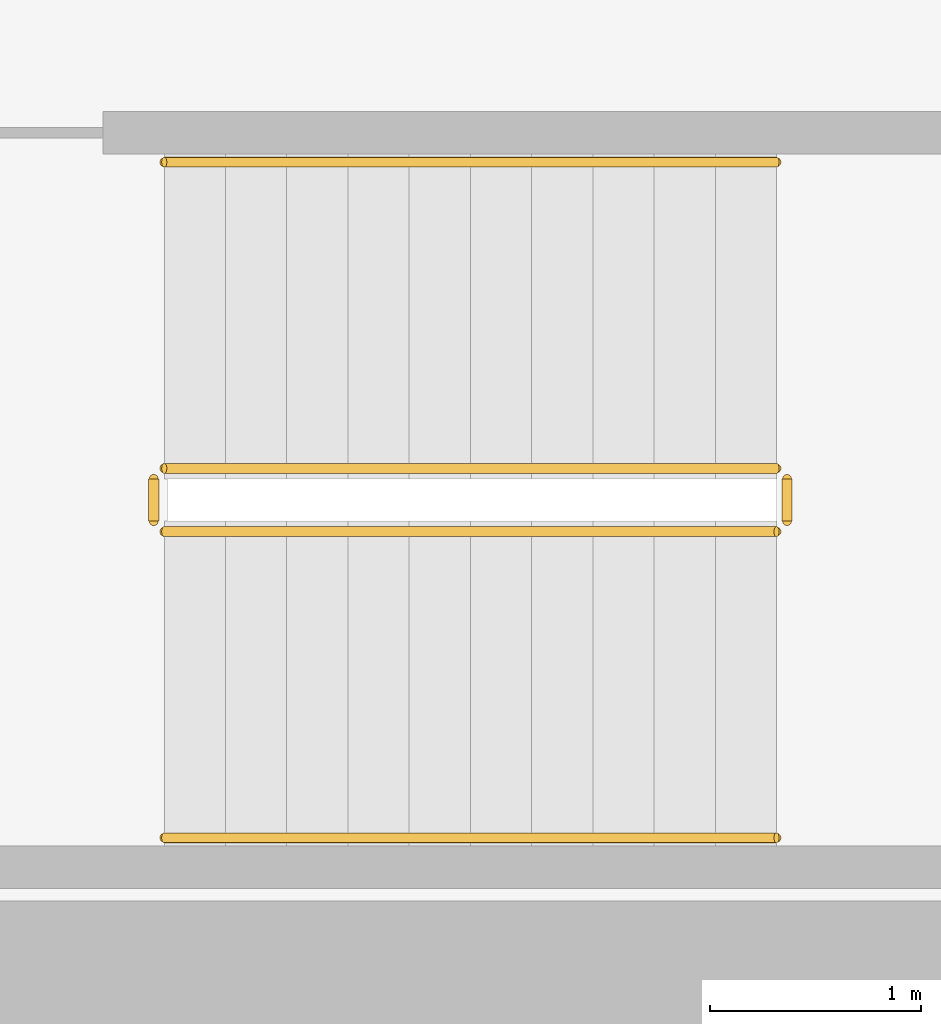
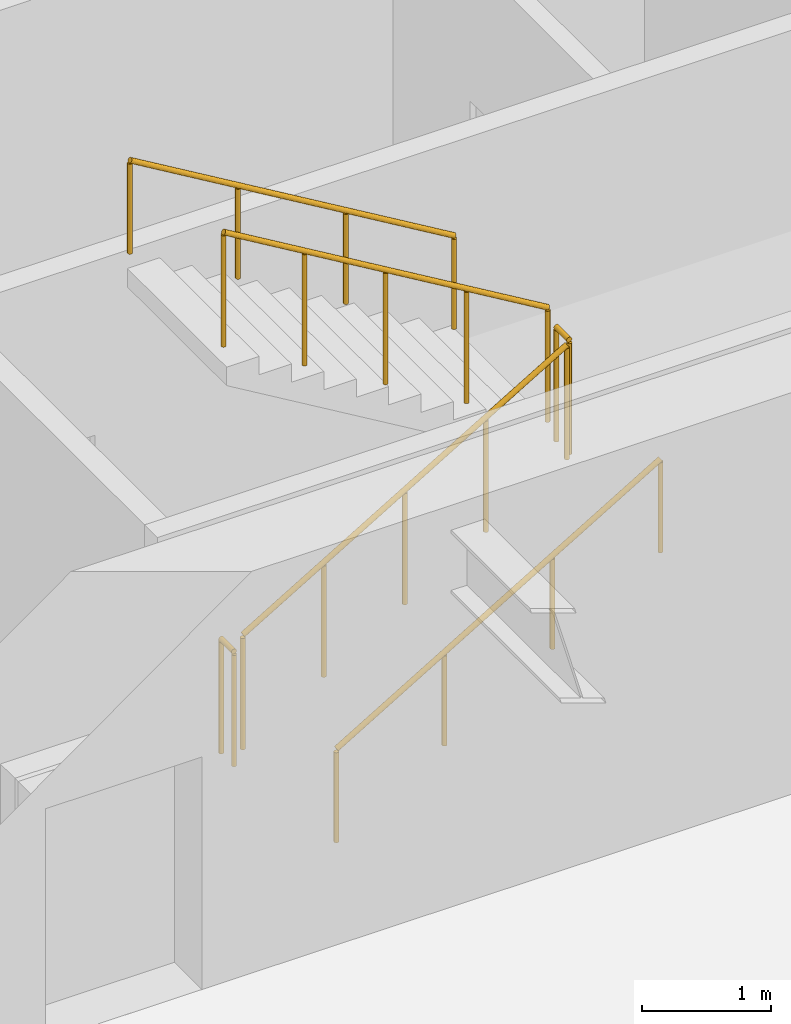
# One storey, part 19 of 20: 6 railings.
"""IFC4 building model written with IfcOpenShell, lengths in metres."""

from ifc_helpers import new_model, si_unit, direction, frame, origin, origin_2d, place, context, subcontext, project, spatial, circle, extrude, material, type_object, element, save


model = new_model("IFC4")

# Units and contexts
model_context = context("Model", 3, precision=1e-05, world=origin(), true_north=direction((0.0, 1.0)))
body_context = subcontext(model_context, "Body", "Model", "MODEL_VIEW")
ifc_project = project(units=[si_unit("LENGTHUNIT", "METRE"), si_unit("AREAUNIT", "SQUARE_METRE"), si_unit("VOLUMEUNIT", "CUBIC_METRE"), si_unit("PLANEANGLEUNIT", "RADIAN"), si_unit("MASSUNIT", "GRAM", prefix="KILO")], contexts=[model_context])

# Site, building, storey
site_placement = place(None, origin())
site = spatial("IfcSite", under=ifc_project, at=site_placement, CompositionType="ELEMENT")
building_placement = place(site_placement, origin())
building = spatial("IfcBuilding", under=site, at=building_placement, Name="Putna Gate Headquarters", CompositionType="ELEMENT")
storey_placement = place(building_placement, frame((0.0, 0.0, 105.0)))
storey = spatial("IfcBuildingStorey", under=building, at=storey_placement, Name="L25", CompositionType="ELEMENT", Elevation=105.0)

# Railings
ifc_material_1 = material(Name="Powder-coated steel stair guardrail", Category="steel")
railing_type_1 = type_object("IfcRailingType", Name="RAIL-STAIR-GUARD-1100", PredefinedType="GUARDRAIL", material=ifc_material_1)
railing_1_placement = place(storey_placement, frame((57.89990234375, 21.10009765625, 0.172607421875)))
element("IfcRailing", 1, at=railing_1_placement, inside=storey, type_object=railing_type_1, Name="L25 ST2 stair guard 1", PredefinedType="GUARDRAIL", context=body_context, shape_type="SweptSolid", body=[
    extrude(circle(Radius=0.02392578125, at=origin_2d()), frame((0.0, 0.0, 1.076171875), z_axis=(0.859160404282, 0.0, 0.51170636083), x_axis=(0.0, 1.0, 0.0)), (0.0, 0.0, 1.0), 3.37548828125),
    extrude(circle(Radius=0.02099609375, at=origin_2d()), origin(), (0.0, 0.0, 1.0), 1.052001953125),
    extrude(circle(Radius=0.02099609375, at=origin_2d()), frame((0.72509765625, 0.0, 0.431884765625)), (0.0, 0.0, 1.0), 1.052001953125),
    extrude(circle(Radius=0.02099609375, at=origin_2d()), frame((1.4501953125, 0.0, 0.86376953125)), (0.0, 0.0, 1.0), 1.052001953125),
    extrude(circle(Radius=0.02099609375, at=origin_2d()), frame((2.175048828125, 0.0, 1.29541015625)), (0.0, 0.0, 1.0), 1.052001953125),
    extrude(circle(Radius=0.02099609375, at=origin_2d()), frame((2.900146484375, 0.0, 1.727294921875)), (0.0, 0.0, 1.0), 1.052001953125),
])
railing_2_placement = place(storey_placement, frame((60.85009765625, 21.14990234375, 1.89990234375)))
element("IfcRailing", 2, at=railing_2_placement, inside=storey, type_object=railing_type_1, Name="L25 ST2 stair guard 2", PredefinedType="GUARDRAIL", context=body_context, shape_type="SweptSolid", body=[
    extrude(circle(Radius=0.02392578125, at=origin_2d()), frame((0.0, 0.0, 1.076171875), z_axis=(0.0, 1.0, 0.0), x_axis=(-1.0, 0.0, 0.0)), (0.0, 0.0, 1.0), 0.2001953125),
    extrude(circle(Radius=0.02099609375, at=origin_2d()), origin(), (0.0, 0.0, 1.0), 1.052001953125),
    extrude(circle(Radius=0.02099609375, at=origin_2d()), frame((0.0, 0.2001953125, 0.0)), (0.0, 0.0, 1.0), 1.052001953125),
])
railing_3_placement = place(storey_placement, frame((60.800048828125, 21.39990234375, 2.07275390625)))
element("IfcRailing", 3, at=railing_3_placement, inside=storey, type_object=railing_type_1, Name="L25 ST2 stair guard 3", PredefinedType="GUARDRAIL", context=body_context, shape_type="SweptSolid", body=[
    extrude(circle(Radius=0.02392578125, at=origin_2d()), frame((0.0, 0.0, 1.076171875), z_axis=(-0.859160404282, 0.0, 0.51170636083), x_axis=(0.0, -1.0, 0.0)), (0.0, 0.0, 1.0), 3.37548828125),
    extrude(circle(Radius=0.02099609375, at=origin_2d()), origin(), (0.0, 0.0, 1.0), 1.052001953125),
    extrude(circle(Radius=0.02099609375, at=origin_2d()), frame((-0.72509765625, 0.0, 0.431884765625)), (0.0, 0.0, 1.0), 1.052001953125),
    extrude(circle(Radius=0.02099609375, at=origin_2d()), frame((-1.4501953125, 0.0, 0.86376953125)), (0.0, 0.0, 1.0), 1.052001953125),
    extrude(circle(Radius=0.02099609375, at=origin_2d()), frame((-2.175048828125, 0.0, 1.29541015625)), (0.0, 0.0, 1.0), 1.052001953125),
    extrude(circle(Radius=0.02099609375, at=origin_2d()), frame((-2.900146484375, 0.0, 1.727294921875)), (0.0, 0.0, 1.0), 1.052001953125),
])
railing_4_placement = place(storey_placement, frame((57.85009765625, 21.14990234375, 0.0)))
element("IfcRailing", 4, at=railing_4_placement, inside=storey, type_object=railing_type_1, Name="L25 ST2 stair guard 4", PredefinedType="GUARDRAIL", context=body_context, shape_type="SweptSolid", body=[
    extrude(circle(Radius=0.02392578125, at=origin_2d()), frame((0.0, 0.0, 1.076171875), z_axis=(0.0, 1.0, 0.0), x_axis=(-1.0, 0.0, 0.0)), (0.0, 0.0, 1.0), 0.2001953125),
    extrude(circle(Radius=0.02099609375, at=origin_2d()), origin(), (0.0, 0.0, 1.0), 1.052001953125),
    extrude(circle(Radius=0.02099609375, at=origin_2d()), frame((0.0, 0.2001953125, 0.0)), (0.0, 0.0, 1.0), 1.052001953125),
])
ifc_material_2 = material(Name="Brushed stainless steel handrail", Category="steel")
railing_type_2 = type_object("IfcRailingType", Name="RAIL-STAIR-HAND-900", PredefinedType="HANDRAIL", material=ifc_material_2)
railing_5_placement = place(storey_placement, frame((57.89990234375, 19.64990234375, 0.172607421875)))
element("IfcRailing", 5, at=railing_5_placement, inside=storey, type_object=railing_type_2, Name="L25 ST2 stair handrail 1", PredefinedType="HANDRAIL", context=body_context, shape_type="SweptSolid", body=[
    extrude(circle(Radius=0.02392578125, at=origin_2d()), frame((0.0, 0.0, 0.8759765625), z_axis=(0.859160404282, 0.0, 0.51170636083), x_axis=(0.0, 1.0, 0.0)), (0.0, 0.0, 1.0), 3.37548828125),
    extrude(circle(Radius=0.02099609375, at=origin_2d()), origin(), (0.0, 0.0, 1.0), 0.851806640625),
    extrude(circle(Radius=0.02099609375, at=origin_2d()), frame((0.966796875, 0.0, 0.57568359375)), (0.0, 0.0, 1.0), 0.851806640625),
    extrude(circle(Radius=0.02099609375, at=origin_2d()), frame((1.933349609375, 0.0, 1.151611328125)), (0.0, 0.0, 1.0), 0.851806640625),
    extrude(circle(Radius=0.02099609375, at=origin_2d()), frame((2.900146484375, 0.0, 1.727294921875)), (0.0, 0.0, 1.0), 0.851806640625),
])
railing_6_placement = place(storey_placement, frame((60.800048828125, 22.85009765625, 2.07275390625)))
element("IfcRailing", 6, at=railing_6_placement, inside=storey, type_object=railing_type_2, Name="L25 ST2 stair handrail 2", PredefinedType="HANDRAIL", context=body_context, shape_type="SweptSolid", body=[
    extrude(circle(Radius=0.02392578125, at=origin_2d()), frame((0.0, 0.0, 0.8759765625), z_axis=(-0.859160404282, 0.0, 0.51170636083), x_axis=(0.0, -1.0, 0.0)), (0.0, 0.0, 1.0), 3.37548828125),
    extrude(circle(Radius=0.02099609375, at=origin_2d()), origin(), (0.0, 0.0, 1.0), 0.851806640625),
    extrude(circle(Radius=0.02099609375, at=origin_2d()), frame((-0.966796875, 0.0, 0.57568359375)), (0.0, 0.0, 1.0), 0.851806640625),
    extrude(circle(Radius=0.02099609375, at=origin_2d()), frame((-1.933349609375, 0.0, 1.151611328125)), (0.0, 0.0, 1.0), 0.851806640625),
    extrude(circle(Radius=0.02099609375, at=origin_2d()), frame((-2.900146484375, 0.0, 1.727294921875)), (0.0, 0.0, 1.0), 0.851806640625),
])

save(model, "model.ifc")
